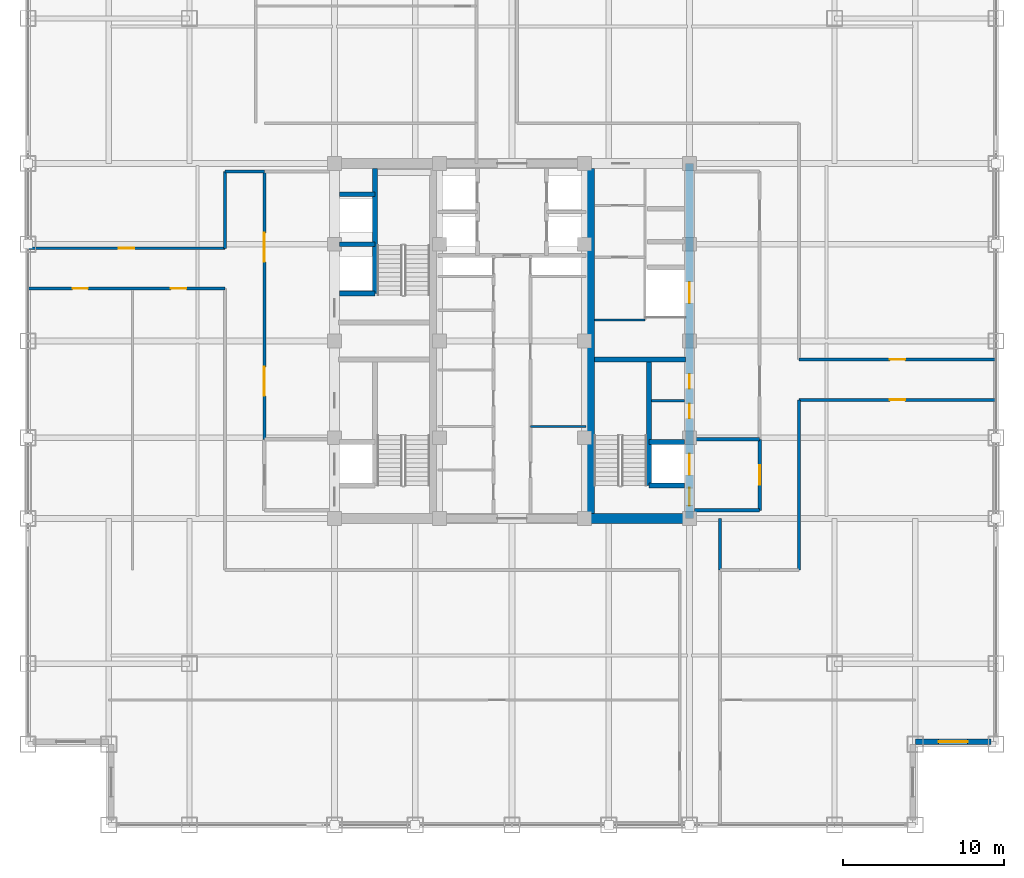
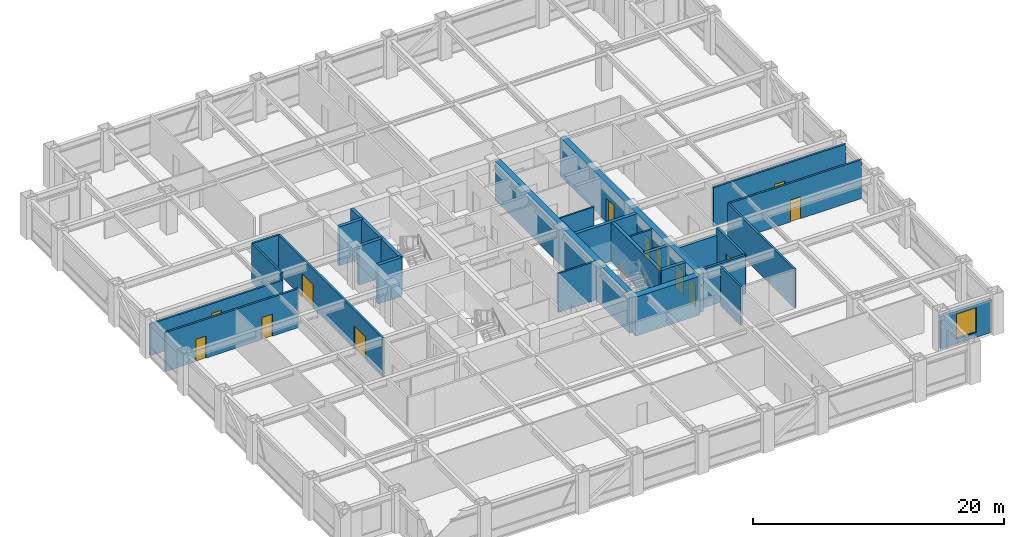
# One storey, part 21 of 24: 27 walls, 13 doors, 1 window, 14 openings.
"""IFC4 building model written with IfcOpenShell, lengths in metres."""

from ifc_helpers import new_model, si_unit, direction, frame, frame_2d, origin, place, context, subcontext, project, spatial, rectangle, extrude, source, transform, mapped, material, layer, layer_set, type_object, element, fill, save


model = new_model("IFC4")

# Units and contexts
model_context = context("Model", 3, precision=1e-05, world=origin(), true_north=direction((0.0, 1.0)))
body_context = subcontext(model_context, "Body", "Model", "MODEL_VIEW")
ifc_project = project(units=[si_unit("LENGTHUNIT", "METRE"), si_unit("AREAUNIT", "SQUARE_METRE"), si_unit("VOLUMEUNIT", "CUBIC_METRE"), si_unit("PLANEANGLEUNIT", "RADIAN"), si_unit("MASSUNIT", "GRAM", prefix="KILO")], contexts=[model_context])

# Site, building, storey
site_placement = place(None, origin())
site = spatial("IfcSite", under=ifc_project, at=site_placement, CompositionType="ELEMENT")
building_placement = place(site_placement, origin())
building = spatial("IfcBuilding", under=site, at=building_placement, Name="Khorayat Bourse Tower", CompositionType="ELEMENT")
storey_placement = place(building_placement, frame((0.0, 0.0, 259.10009765625)))
storey = spatial("IfcBuildingStorey", under=building, at=storey_placement, Name="L61", CompositionType="ELEMENT", Elevation=259.10009765625)

# Wall
ifc_material_1 = material(Name="Concrete C52/65", Category="concrete")
ifc_layer_1 = layer(ifc_material_1, 0.5)
ifc_layer_set_1 = layer_set([ifc_layer_1], Name="Concrete C52/65")
wall_type_1 = type_object("IfcWallType", Name="WAL-CORE-500", PredefinedType="SHEAR", material=ifc_layer_set_1)
shared_shape_1 = source(origin(), body_context, "Body", "SweptSolid", [
    extrude(rectangle(XDim=21.39990234375, YDim=0.5, at=frame_2d((10.699951171875, 0.0))), origin(), (0.0, 0.0, 1.0), 3.77978515625),
])
wall_1_placement = place(storey_placement, frame((4.85009765625, -10.699951171875, 0.0), z_axis=(0.0, 0.0, 1.0), x_axis=(0.0, 1.0, 0.0)))
element("IfcWall", 1, at=wall_1_placement, inside=storey, type_object=wall_type_1, Name="L61 Core Shear Wall PIER-E", PredefinedType="SHEAR", context=body_context, shape_type="MappedRepresentation", body=[
    mapped(shared_shape_1, transform((0.0, 0.0, 0.0), scale=1.0)),
])

# Wall, openings, doors
shared_shape_2 = source(origin(), body_context, "Body", "SweptSolid", [
    extrude(rectangle(XDim=22.0, YDim=0.5, at=frame_2d((11.0, 0.0))), origin(), (0.0, 0.0, 1.0), 3.77978515625),
])
wall_2_placement = place(storey_placement, frame((11.0, -11.0, 0.0), z_axis=(0.0, 0.0, 1.0), x_axis=(0.0, 1.0, 0.0)))
wall_2 = element("IfcWall", 2, at=wall_2_placement, inside=storey, type_object=wall_type_1, Name="L61 Core Shear Wall CORE-E", PredefinedType="SHEAR", context=body_context, shape_type="MappedRepresentation", body=[
    mapped(shared_shape_2, transform((0.0, 0.0, 0.0), scale=1.0)),
])
shared_shape_3 = source(origin(), body_context, "Body", "SweptSolid", [
    extrude(rectangle(XDim=1.10009765625, YDim=2.199951171875, at=frame_2d((0.550048828125, 1.10009765625))), frame((0.0, 0.260009765625, 0.0), z_axis=(0.0, -1.0, 0.0), x_axis=(1.0, 0.0, 0.0)), (0.0, 0.0, 1.0), 0.52001953125),
])
opening_1_placement = place(wall_2_placement, frame((0.800048828125, 0.0, 0.0)))
opening_1 = element("IfcOpeningElement", 3, at=opening_1_placement, cuts=wall_2, Name="Opening DI-01", PredefinedType="OPENING", context=body_context, shape_type="MappedRepresentation", body=[
    mapped(shared_shape_3, transform((0.0, 0.0, 0.0), scale=1.0)),
])
shared_shape_4 = source(origin(), body_context, "Body", "SweptSolid", [
    extrude(rectangle(XDim=0.89990234375, YDim=2.14990234375, at=frame_2d((0.449951171875, 1.074951171875))), frame((0.0, 0.260009765625, 0.0), z_axis=(0.0, -1.0, 0.0), x_axis=(1.0, 0.0, 0.0)), (0.0, 0.0, 1.0), 0.52001953125),
])
opening_2_placement = place(wall_2_placement, frame((6.199951171875, 0.0, 0.0)))
opening_2 = element("IfcOpeningElement", 4, at=opening_2_placement, cuts=wall_2, Name="Opening DI-06", PredefinedType="OPENING", context=body_context, shape_type="MappedRepresentation", body=[
    mapped(shared_shape_4, transform((0.0, 0.0, 0.0), scale=1.0)),
])
opening_3_placement = place(wall_2_placement, frame((8.050048828125, 0.0, 0.0)))
opening_3 = element("IfcOpeningElement", 5, at=opening_3_placement, cuts=wall_2, Name="Opening DI-06", PredefinedType="OPENING", context=body_context, shape_type="MappedRepresentation", body=[
    mapped(shared_shape_4, transform((0.0, 0.0, 0.0), scale=1.0)),
])
shared_shape_5 = source(origin(), body_context, "Body", "SweptSolid", [
    extrude(rectangle(XDim=1.300048828125, YDim=2.300048828125, at=frame_2d((0.64990234375, 1.14990234375))), frame((0.0, 0.260009765625, 0.0), z_axis=(0.0, -1.0, 0.0), x_axis=(1.0, 0.0, 0.0)), (0.0, 0.0, 1.0), 0.52001953125),
])
opening_4_placement = place(wall_2_placement, frame((2.699951171875, 0.0, 0.0)))
opening_4 = element("IfcOpeningElement", 6, at=opening_4_placement, cuts=wall_2, Name="Opening LD-02", PredefinedType="OPENING", context=body_context, shape_type="MappedRepresentation", body=[
    mapped(shared_shape_5, transform((0.0, 0.0, 0.0), scale=1.0)),
])
opening_5_placement = place(wall_2_placement, frame((13.35009765625, 0.0, 0.0)))
opening_5 = element("IfcOpeningElement", 7, at=opening_5_placement, cuts=wall_2, Name="Opening LD-02", PredefinedType="OPENING", context=body_context, shape_type="MappedRepresentation", body=[
    mapped(shared_shape_5, transform((0.0, 0.0, 0.0), scale=1.0)),
])
ifc_material_2 = material(Name="Fire-rated steel acoustic leaf", Category="steel")
door_type_1 = type_object("IfcDoorType", Name="DR-INT-STAIR-1100", OperationType="NOTDEFINED", PredefinedType="DOOR", material=ifc_material_2)
shared_shape_6 = source(origin(), body_context, "Body", "SweptSolid", [
    extrude(rectangle(XDim=1.10009765625, YDim=2.199951171875, at=frame_2d((0.550048828125, 1.10009765625))), frame((0.0, 0.02490234375, 0.0), z_axis=(0.0, -1.0, 0.0), x_axis=(1.0, 0.0, 0.0)), (0.0, 0.0, 1.0), 0.050048828125),
])
door_1_placement = place(opening_1_placement, origin())
door_1 = element("IfcDoor", 8, at=door_1_placement, inside=storey, type_object=door_type_1, Name="L61 Exit Stair 3 Door", OperationType="SINGLE_SWING_LEFT", OverallHeight=2.199951171875, OverallWidth=1.10009765625, PredefinedType="DOOR", context=body_context, shape_type="MappedRepresentation", body=[
    mapped(shared_shape_6, transform((0.0, 0.0, 0.0), scale=1.0)),
])
fill(opening_1, door_1)
ifc_material_3 = material(Name="Moisture-resistant laminate washroom door")
door_type_2 = type_object("IfcDoorType", Name="DR-INT-WC-900", OperationType="NOTDEFINED", PredefinedType="DOOR", material=ifc_material_3)
shared_shape_7 = source(origin(), body_context, "Body", "SweptSolid", [
    extrude(rectangle(XDim=0.89990234375, YDim=2.14990234375, at=frame_2d((0.449951171875, 1.074951171875))), frame((0.0, 0.02490234375, 0.0), z_axis=(0.0, -1.0, 0.0), x_axis=(1.0, 0.0, 0.0)), (0.0, 0.0, 1.0), 0.050048828125),
])
door_2_placement = place(opening_2_placement, origin())
door_2 = element("IfcDoor", 9, at=door_2_placement, inside=storey, type_object=door_type_2, Name="L61 Comms Closet Door", OperationType="SINGLE_SWING_LEFT", OverallHeight=2.14990234375, OverallWidth=0.89990234375, PredefinedType="DOOR", context=body_context, shape_type="MappedRepresentation", body=[
    mapped(shared_shape_7, transform((0.0, 0.0, 0.0), scale=1.0)),
])
fill(opening_2, door_2)
door_3_placement = place(opening_3_placement, origin())
door_3 = element("IfcDoor", 10, at=door_3_placement, inside=storey, type_object=door_type_2, Name="L61 Cleaner Store Door", OperationType="SINGLE_SWING_RIGHT", OverallHeight=2.14990234375, OverallWidth=0.89990234375, PredefinedType="DOOR", context=body_context, shape_type="MappedRepresentation", body=[
    mapped(shared_shape_7, transform((0.0, 0.0, 0.0), scale=1.0)),
])
fill(opening_3, door_3)
ifc_material_4 = material(Name="Fire-rated stainless-steel sliding landing door", Category="steel")
door_type_3 = type_object("IfcDoorType", Name="DR-LIFT-FF-1300", OperationType="NOTDEFINED", PredefinedType="DOOR", material=ifc_material_4)
shared_shape_8 = source(origin(), body_context, "Body", "SweptSolid", [
    extrude(rectangle(XDim=1.300048828125, YDim=2.300048828125, at=frame_2d((0.64990234375, 1.14990234375))), frame((0.0, 0.02490234375, 0.0), z_axis=(0.0, -1.0, 0.0), x_axis=(1.0, 0.0, 0.0)), (0.0, 0.0, 1.0), 0.050048828125),
])
door_4_placement = place(opening_4_placement, origin())
door_4 = element("IfcDoor", 11, at=door_4_placement, inside=storey, type_object=door_type_3, Name="L61 Lift FFL-02 Sliding Landing Door", OperationType="SLIDING_TO_LEFT", OverallHeight=2.300048828125, OverallWidth=1.300048828125, PredefinedType="DOOR", context=body_context, shape_type="MappedRepresentation", body=[
    mapped(shared_shape_8, transform((0.0, 0.0, 0.0), scale=1.0)),
])
fill(opening_4, door_4)
door_5_placement = place(opening_5_placement, origin())
door_5 = element("IfcDoor", 12, at=door_5_placement, inside=storey, type_object=door_type_3, Name="L61 Lift SVL-01 Sliding Landing Door", OperationType="SLIDING_TO_LEFT", OverallHeight=2.300048828125, OverallWidth=1.300048828125, PredefinedType="DOOR", context=body_context, shape_type="MappedRepresentation", body=[
    mapped(shared_shape_8, transform((0.0, 0.0, 0.0), scale=1.0)),
])
fill(opening_5, door_5)

# Walls
ifc_material_5 = material(Name="Concrete C60/75", Category="concrete")
ifc_layer_2 = layer(ifc_material_5, 0.60009765625)
ifc_layer_set_2 = layer_set([ifc_layer_2], Name="Concrete C60/75")
wall_type_2 = type_object("IfcWallType", Name="WAL-CORE-600", PredefinedType="SHEAR", material=ifc_layer_set_2)
shared_shape_9 = source(origin(), body_context, "Body", "SweptSolid", [
    extrude(rectangle(XDim=5.89990234375, YDim=0.60009765625, at=frame_2d((2.949951171875, 0.0))), origin(), (0.0, 0.0, 1.0), 3.77978515625),
])
wall_3_placement = place(storey_placement, frame((4.85009765625, -11.0, 0.0), z_axis=(0.0, 0.0, 1.0), x_axis=(1.0, 0.0, 0.0)))
element("IfcWall", 13, at=wall_3_placement, inside=storey, type_object=wall_type_2, Name="L61 Core Shear Wall PIER-ES", PredefinedType="SHEAR", context=body_context, shape_type="MappedRepresentation", body=[
    mapped(shared_shape_9, transform((0.0, 0.0, 0.0), scale=1.0)),
])
ifc_material_6 = material(Name="Concrete C50/60", Category="concrete")
ifc_layer_3 = layer(ifc_material_6, 0.300048828125)
ifc_layer_set_3 = layer_set([ifc_layer_3], Name="Concrete C50/60")
wall_type_3 = type_object("IfcWallType", Name="WAL-SHAFT-300", PredefinedType="SHEAR", material=ifc_layer_set_3)
shared_shape_10 = source(origin(), body_context, "Body", "SweptSolid", [
    extrude(rectangle(XDim=5.64990234375, YDim=0.300048828125, at=frame_2d((2.824951171875, 0.0))), origin(), (0.0, 0.0, 1.0), 3.77978515625),
])
wall_4_placement = place(storey_placement, frame((5.10009765625, -1.14990234375, 0.0), z_axis=(0.0, 0.0, 1.0), x_axis=(1.0, 0.0, 0.0)))
element("IfcWall", 14, at=wall_4_placement, inside=storey, type_object=wall_type_3, Name="L61 Core Shear Wall ST3-DIV", PredefinedType="SHEAR", context=body_context, shape_type="MappedRepresentation", body=[
    mapped(shared_shape_10, transform((0.0, 0.0, 0.0), scale=1.0)),
])

# Wall, opening, window
ifc_material_7 = material(Name="Precast concrete C45/55", Category="concrete")
ifc_layer_4 = layer(ifc_material_7, 0.320068359375)
ifc_layer_set_4 = layer_set([ifc_layer_4], Name="Precast concrete C45/55")
wall_type_4 = type_object("IfcWallType", Name="WAL-EXT-STONE-320", PredefinedType="STANDARD", material=ifc_layer_set_4)
shared_shape_11 = source(origin(), body_context, "Body", "SweptSolid", [
    extrude(rectangle(XDim=4.679931640625, YDim=0.320068359375, at=frame_2d((2.33984375, 0.0))), origin(), (0.0, 0.0, 1.0), 3.163818359375),
])
wall_5_placement = place(storey_placement, frame((25.0, -24.840087890625, 0.0), z_axis=(0.0, 0.0, 1.0), x_axis=(1.0, 0.0, 0.0)))
wall_5 = element("IfcWall", 15, at=wall_5_placement, inside=storey, type_object=wall_type_4, Name="L61 Re-Entrant Notch Limestone Wall SE-H", PredefinedType="STANDARD", context=body_context, shape_type="MappedRepresentation", body=[
    mapped(shared_shape_11, transform((0.0, 0.0, 0.0), scale=1.0)),
])
shared_shape_12 = source(origin(), body_context, "Body", "SweptSolid", [
    extrude(rectangle(XDim=1.800048828125, YDim=2.39990234375, at=frame_2d((0.89990234375, 1.199951171875))), frame((0.0, 0.169921875, 0.0), z_axis=(0.0, -1.0, 0.0), x_axis=(1.0, 0.0, 0.0)), (0.0, 0.0, 1.0), 0.340087890625),
])
opening_6_placement = place(wall_5_placement, frame((1.43994140625, 0.0, 0.5)))
opening_6 = element("IfcOpeningElement", 16, at=opening_6_placement, cuts=wall_5, Name="Opening WN-04", PredefinedType="OPENING", context=body_context, shape_type="MappedRepresentation", body=[
    mapped(shared_shape_12, transform((0.0, 0.0, 0.0), scale=1.0)),
])
ifc_material_8 = material(Name="Low-E acoustic laminated double glazing", Category="glass")
window_type = type_object("IfcWindowType", Name="WIN-NOTCH-1800x2400", PartitioningType="SINGLE_PANEL", PredefinedType="WINDOW", material=ifc_material_8)
shared_shape_13 = source(origin(), body_context, "Body", "SweptSolid", [
    extrude(rectangle(XDim=1.800048828125, YDim=2.39990234375, at=frame_2d((0.89990234375, 1.199951171875))), frame((0.0, 0.030029296875, 0.0), z_axis=(0.0, -1.0, 0.0), x_axis=(1.0, 0.0, 0.0)), (0.0, 0.0, 1.0), 0.06005859375),
])
window_placement = place(opening_6_placement, origin())
window = element("IfcWindow", 17, at=window_placement, inside=storey, type_object=window_type, Name="L61 Facade Window 1", OverallHeight=2.39990234375, OverallWidth=1.800048828125, PartitioningType="SINGLE_PANEL", PredefinedType="WINDOW", context=body_context, shape_type="MappedRepresentation", body=[
    mapped(shared_shape_13, transform((0.0, 0.0, 0.0), scale=1.0)),
])
fill(opening_6, window)

# Walls
ifc_material_9 = material(Name="Aerated concrete blockwork", Category="masonry")
ifc_layer_5 = layer(ifc_material_9, 0.219970703125)
ifc_layer_set_5 = layer_set([ifc_layer_5], Name="Aerated concrete blockwork")
wall_type_5 = type_object("IfcWallType", Name="WAL-PART-FF-220", PredefinedType="PARTITIONING", material=ifc_layer_set_5)
shared_shape_14 = source(origin(), body_context, "Body", "SweptSolid", [
    extrude(rectangle(XDim=4.050048828125, YDim=0.219970703125, at=frame_2d((2.02490234375, 0.0))), origin(), (0.0, 0.0, 1.0), 3.0849609375),
])
wall_6_placement = place(storey_placement, frame((11.300048828125, -6.10009765625, 0.0), z_axis=(0.0, 0.0, 1.0), x_axis=(1.0, 0.0, 0.0)))
element("IfcWall", 18, at=wall_6_placement, inside=storey, type_object=wall_type_5, Name="L61 Partition WAL-L61-FFLE-N", PredefinedType="PARTITIONING", context=body_context, shape_type="MappedRepresentation", body=[
    mapped(shared_shape_14, transform((0.0, 0.0, 0.0), scale=1.0)),
])
shared_shape_15 = source(origin(), body_context, "Body", "SweptSolid", [
    extrude(rectangle(XDim=7.800048828125, YDim=0.300048828125, at=frame_2d((3.89990234375, 0.0))), origin(), (0.0, 0.0, 1.0), 3.77978515625),
])
wall_7_placement = place(storey_placement, frame((8.5, -8.949951171875, 0.0), z_axis=(0.0, 0.0, 1.0), x_axis=(0.0, 1.0, 0.0)))
element("IfcWall", 19, at=wall_7_placement, inside=storey, type_object=wall_type_3, Name="L61 Partition WAL-L61-EPIER-SP", PredefinedType="SHEAR", context=body_context, shape_type="MappedRepresentation", body=[
    mapped(shared_shape_15, transform((0.0, 0.0, 0.0), scale=1.0)),
])
shared_shape_16 = source(origin(), body_context, "Body", "SweptSolid", [
    extrude(rectangle(XDim=2.199951171875, YDim=0.300048828125, at=frame_2d((1.10009765625, 0.0))), origin(), (0.0, 0.0, 1.0), 3.77978515625),
])
for number, where, z_axis, x_axis, name in (
    (20, (-10.699951171875, 2.949951171875, 0.0), (0.0, 0.0, 1.0), (1.0, 0.0, 0.0), "L61 Partition WAL-L61-WPIER-H1S"),
    (21, (-10.699951171875, 6.0, 0.0), (0.0, 0.0, 1.0), (1.0, 0.0, 0.0), "L61 Partition WAL-L61-WPIER-H12"),
    (22, (-10.699951171875, 9.10009765625, 0.0), (0.0, 0.0, 1.0), (1.0, 0.0, 0.0), "L61 Partition WAL-L61-WPIER-H2N"),
    (23, (8.5, -8.949951171875, 0.0), (0.0, 0.0, 1.0), (1.0, 0.0, 0.0), "L61 Partition WAL-L61-EPIER-FF2S"),
    (24, (8.5, -6.25, 0.0), (0.0, 0.0, 1.0), (1.0, 0.0, 0.0), "L61 Partition WAL-L61-EPIER-FF2N"),
):
    element("IfcWall", number, at=place(storey_placement, frame(where, z_axis=z_axis, x_axis=x_axis)), inside=storey, type_object=wall_type_3, Name=name, PredefinedType="SHEAR", context=body_context, shape_type="MappedRepresentation", body=[
        mapped(shared_shape_16, transform((0.0, 0.0, 0.0), scale=1.0)),
    ])
shared_shape_17 = source(origin(), body_context, "Body", "SweptSolid", [
    extrude(rectangle(XDim=7.75, YDim=0.300048828125, at=frame_2d((3.875, 0.0))), origin(), (0.0, 0.0, 1.0), 3.77978515625),
])
wall_8_placement = place(storey_placement, frame((-8.5, 2.949951171875, 0.0), z_axis=(0.0, 0.0, 1.0), x_axis=(0.0, 1.0, 0.0)))
element("IfcWall", 25, at=wall_8_placement, inside=storey, type_object=wall_type_3, Name="L61 Partition WAL-L61-WPIER-ST2S", PredefinedType="SHEAR", context=body_context, shape_type="MappedRepresentation", body=[
    mapped(shared_shape_17, transform((0.0, 0.0, 0.0), scale=1.0)),
])
ifc_material_10 = material(Name="Gypsum plasterboard twin-frame partition")
ifc_layer_6 = layer(ifc_material_10, 0.14990234375)
ifc_layer_set_6 = layer_set([ifc_layer_6], Name="Gypsum plasterboard twin-frame partition")
wall_type_6 = type_object("IfcWallType", Name="WAL-PART-SUITE-150", PredefinedType="PARTITIONING", material=ifc_layer_set_6)
shared_shape_18 = source(origin(), body_context, "Body", "SweptSolid", [
    extrude(rectangle(XDim=2.050048828125, YDim=0.14990234375, at=frame_2d((1.02490234375, 0.0))), origin(), (0.0, 0.0, 1.0), 3.77978515625),
])
wall_9_placement = place(storey_placement, frame((8.64990234375, -3.699951171875, 0.0), z_axis=(0.0, 0.0, 1.0), x_axis=(1.0, 0.0, 0.0)))
element("IfcWall", 26, at=wall_9_placement, inside=storey, type_object=wall_type_6, Name="L61 Partition WAL-L61-ESRV-D1", PredefinedType="PARTITIONING", context=body_context, shape_type="MappedRepresentation", body=[
    mapped(shared_shape_18, transform((0.0, 0.0, 0.0), scale=1.0)),
])
ifc_material_11 = material(Name="Moisture-resistant masonry partition", Category="masonry")
ifc_layer_7 = layer(ifc_material_11, 0.139892578125)
ifc_layer_set_7 = layer_set([ifc_layer_7], Name="Moisture-resistant masonry partition")
wall_type_7 = type_object("IfcWallType", Name="WAL-PART-WET-140", PredefinedType="PARTITIONING", material=ifc_layer_set_7)
shared_shape_19 = source(origin(), body_context, "Body", "SweptSolid", [
    extrude(rectangle(XDim=3.14990234375, YDim=0.139892578125, at=frame_2d((1.574951171875, 0.0))), origin(), (0.0, 0.0, 1.0), 3.77978515625),
])
wall_10_placement = place(storey_placement, frame((5.10009765625, 1.300048828125, 0.0), z_axis=(0.0, 0.0, 1.0), x_axis=(1.0, 0.0, 0.0)))
element("IfcWall", 27, at=wall_10_placement, inside=storey, type_object=wall_type_7, Name="L61 Partition WAL-L61-ECORE-S", PredefinedType="PARTITIONING", context=body_context, shape_type="MappedRepresentation", body=[
    mapped(shared_shape_19, transform((0.0, 0.0, 0.0), scale=1.0)),
])
shared_shape_20 = source(origin(), body_context, "Body", "SweptSolid", [
    extrude(rectangle(XDim=4.050048828125, YDim=0.219970703125, at=frame_2d((2.02490234375, 0.0))), origin(), (0.0, 0.0, 1.0), 3.77978515625),
])
wall_11_placement = place(storey_placement, frame((11.300048828125, -10.5, 0.0), z_axis=(0.0, 0.0, 1.0), x_axis=(1.0, 0.0, 0.0)))
element("IfcWall", 28, at=wall_11_placement, inside=storey, type_object=wall_type_5, Name="L61 Partition WAL-L61-FFLE-S", PredefinedType="PARTITIONING", context=body_context, shape_type="MappedRepresentation", body=[
    mapped(shared_shape_20, transform((0.0, 0.0, 0.0), scale=1.0)),
])

# Wall, opening, door
shared_shape_21 = source(origin(), body_context, "Body", "SweptSolid", [
    extrude(rectangle(XDim=4.39990234375, YDim=0.219970703125, at=frame_2d((2.199951171875, 0.0))), origin(), (0.0, 0.0, 1.0), 3.77978515625),
])
wall_12_placement = place(storey_placement, frame((15.35009765625, -10.5, 0.0), z_axis=(0.0, 0.0, 1.0), x_axis=(0.0, 1.0, 0.0)))
wall_12 = element("IfcWall", 29, at=wall_12_placement, inside=storey, type_object=wall_type_5, Name="L61 Partition WAL-L61-FFLE-E", PredefinedType="PARTITIONING", context=body_context, shape_type="MappedRepresentation", body=[
    mapped(shared_shape_21, transform((0.0, 0.0, 0.0), scale=1.0)),
])
shared_shape_22 = source(origin(), body_context, "Body", "SweptSolid", [
    extrude(rectangle(XDim=1.199951171875, YDim=2.199951171875, at=frame_2d((0.60009765625, 1.10009765625))), frame((0.0, 0.119873046875, 0.0), z_axis=(0.0, -1.0, 0.0), x_axis=(1.0, 0.0, 0.0)), (0.0, 0.0, 1.0), 0.239990234375),
])
opening_7_placement = place(wall_12_placement, frame((1.60009765625, 0.0, 0.0)))
opening_7 = element("IfcOpeningElement", 30, at=opening_7_placement, cuts=wall_12, Name="Opening DI-02", PredefinedType="OPENING", context=body_context, shape_type="MappedRepresentation", body=[
    mapped(shared_shape_22, transform((0.0, 0.0, 0.0), scale=1.0)),
])
ifc_material_12 = material(Name="Fire-rated steel double-seal leaf", Category="steel")
door_type_4 = type_object("IfcDoorType", Name="DR-INT-FFLOBBY-1200", OperationType="NOTDEFINED", PredefinedType="DOOR", material=ifc_material_12)
shared_shape_23 = source(origin(), body_context, "Body", "SweptSolid", [
    extrude(rectangle(XDim=1.199951171875, YDim=2.199951171875, at=frame_2d((0.60009765625, 1.10009765625))), frame((0.0, 0.02490234375, 0.0), z_axis=(0.0, -1.0, 0.0), x_axis=(1.0, 0.0, 0.0)), (0.0, 0.0, 1.0), 0.050048828125),
])
door_6_placement = place(opening_7_placement, origin())
door_6 = element("IfcDoor", 31, at=door_6_placement, inside=storey, type_object=door_type_4, Name="L61 East Firefighting Lobby Door", OperationType="SINGLE_SWING_RIGHT", OverallHeight=2.199951171875, OverallWidth=1.199951171875, PredefinedType="DOOR", context=body_context, shape_type="MappedRepresentation", body=[
    mapped(shared_shape_23, transform((0.0, 0.0, 0.0), scale=1.0)),
])
fill(opening_7, door_6)

# Wall, openings, doors
ifc_material_13 = material(Name="Gypsum plasterboard acoustic stud wall")
ifc_layer_8 = layer(ifc_material_13, 0.179931640625)
ifc_layer_set_8 = layer_set([ifc_layer_8], Name="Gypsum plasterboard acoustic stud wall")
wall_type_8 = type_object("IfcWallType", Name="WAL-PART-CORR-180", PredefinedType="PARTITIONING", material=ifc_layer_set_8)
shared_shape_24 = source(origin(), body_context, "Body", "SweptSolid", [
    extrude(rectangle(XDim=16.60009765625, YDim=0.179931640625, at=frame_2d((8.300048828125, 0.0))), origin(), (0.0, 0.0, 1.0), 3.77978515625),
])
wall_13_placement = place(storey_placement, frame((-15.35009765625, -6.10009765625, 0.0), z_axis=(0.0, 0.0, 1.0), x_axis=(0.0, 1.0, 0.0)))
wall_13 = element("IfcWall", 32, at=wall_13_placement, inside=storey, type_object=wall_type_8, Name="L61 Partition WAL-L61-WLOB-W", PredefinedType="PARTITIONING", context=body_context, shape_type="MappedRepresentation", body=[
    mapped(shared_shape_24, transform((0.0, 0.0, 0.0), scale=1.0)),
])
shared_shape_25 = source(origin(), body_context, "Body", "SweptSolid", [
    extrude(rectangle(XDim=1.800048828125, YDim=2.25, at=frame_2d((0.89990234375, 1.125))), frame((0.0, 0.099853515625, 0.0), z_axis=(0.0, -1.0, 0.0), x_axis=(1.0, 0.0, 0.0)), (0.0, 0.0, 1.0), 0.199951171875),
])
opening_8_placement = place(wall_13_placement, frame((2.699951171875, 0.0, 0.0)))
opening_8 = element("IfcOpeningElement", 33, at=opening_8_placement, cuts=wall_13, Name="Opening DI-03", PredefinedType="OPENING", context=body_context, shape_type="MappedRepresentation", body=[
    mapped(shared_shape_25, transform((0.0, 0.0, 0.0), scale=1.0)),
])
opening_9_placement = place(wall_13_placement, frame((11.0, 0.0, 0.0)))
opening_9 = element("IfcOpeningElement", 34, at=opening_9_placement, cuts=wall_13, Name="Opening DI-03", PredefinedType="OPENING", context=body_context, shape_type="MappedRepresentation", body=[
    mapped(shared_shape_25, transform((0.0, 0.0, 0.0), scale=1.0)),
])
ifc_material_14 = material(Name="Fire-rated hardwood vision-panel double leaf", Category="wood")
door_type_5 = type_object("IfcDoorType", Name="DR-INT-CORR-1800", OperationType="NOTDEFINED", PredefinedType="DOOR", material=ifc_material_14)
shared_shape_26 = source(origin(), body_context, "Body", "SweptSolid", [
    extrude(rectangle(XDim=1.800048828125, YDim=2.25, at=frame_2d((0.89990234375, 1.125))), frame((0.0, 0.02490234375, 0.0), z_axis=(0.0, -1.0, 0.0), x_axis=(1.0, 0.0, 0.0)), (0.0, 0.0, 1.0), 0.050048828125),
])
door_7_placement = place(opening_8_placement, origin())
door_7 = element("IfcDoor", 35, at=door_7_placement, inside=storey, type_object=door_type_5, Name="L61 West Core Lobby South Door", OperationType="SINGLE_SWING_LEFT", OverallHeight=2.25, OverallWidth=1.800048828125, PredefinedType="DOOR", context=body_context, shape_type="MappedRepresentation", body=[
    mapped(shared_shape_26, transform((0.0, 0.0, 0.0), scale=1.0)),
])
fill(opening_8, door_7)
door_8_placement = place(opening_9_placement, origin())
door_8 = element("IfcDoor", 36, at=door_8_placement, inside=storey, type_object=door_type_5, Name="L61 West Core Lobby North Door", OperationType="SINGLE_SWING_RIGHT", OverallHeight=2.25, OverallWidth=1.800048828125, PredefinedType="DOOR", context=body_context, shape_type="MappedRepresentation", body=[
    mapped(shared_shape_26, transform((0.0, 0.0, 0.0), scale=1.0)),
])
fill(opening_9, door_8)

# Walls
shared_shape_27 = source(origin(), body_context, "Body", "SweptSolid", [
    extrude(rectangle(XDim=3.4501953125, YDim=0.14990234375, at=frame_2d((1.72509765625, 0.0))), origin(), (0.0, 0.0, 1.0), 3.77978515625),
])
wall_14_placement = place(storey_placement, frame((1.14990234375, -5.300048828125, 0.0), z_axis=(0.0, 0.0, 1.0), x_axis=(1.0, 0.0, 0.0)))
element("IfcWall", 37, at=wall_14_placement, inside=storey, type_object=wall_type_6, Name="L61 Partition WAL-L61-FB1-NE", PredefinedType="PARTITIONING", context=body_context, shape_type="MappedRepresentation", body=[
    mapped(shared_shape_27, transform((0.0, 0.0, 0.0), scale=1.0)),
])
shared_shape_28 = source(origin(), body_context, "Body", "SweptSolid", [
    extrude(rectangle(XDim=2.449951171875, YDim=0.179931640625, at=frame_2d((1.22509765625, 0.0))), origin(), (0.0, 0.0, 1.0), 3.77978515625),
])
wall_15_placement = place(storey_placement, frame((-17.800048828125, 10.5, 0.0), z_axis=(0.0, 0.0, 1.0), x_axis=(1.0, 0.0, 0.0)))
element("IfcWall", 38, at=wall_15_placement, inside=storey, type_object=wall_type_8, Name="L61 Partition WAL-L61-C2-WN", PredefinedType="PARTITIONING", context=body_context, shape_type="MappedRepresentation", body=[
    mapped(shared_shape_28, transform((0.0, 0.0, 0.0), scale=1.0)),
])
shared_shape_29 = source(origin(), body_context, "Body", "SweptSolid", [
    extrude(rectangle(XDim=3.199951171875, YDim=0.179931640625, at=frame_2d((1.60009765625, 0.0))), origin(), (0.0, 0.0, 1.0), 3.77978515625),
])
wall_16_placement = place(storey_placement, frame((12.89990234375, -14.199951171875, 0.0), z_axis=(0.0, 0.0, 1.0), x_axis=(0.0, 1.0, 0.0)))
element("IfcWall", 39, at=wall_16_placement, inside=storey, type_object=wall_type_8, Name="L61 Partition WAL-L61-C2-SCE", PredefinedType="PARTITIONING", context=body_context, shape_type="MappedRepresentation", body=[
    mapped(shared_shape_29, transform((0.0, 0.0, 0.0), scale=1.0)),
])

# Wall, openings, doors
shared_shape_30 = source(origin(), body_context, "Body", "SweptSolid", [
    extrude(rectangle(XDim=12.199951171875, YDim=0.179931640625, at=frame_2d((6.10009765625, 0.0))), origin(), (0.0, 0.0, 1.0), 3.77978515625),
])
wall_17_placement = place(storey_placement, frame((-30.0, 3.25, 0.0), z_axis=(0.0, 0.0, 1.0), x_axis=(1.0, 0.0, 0.0)))
wall_17 = element("IfcWall", 40, at=wall_17_placement, inside=storey, type_object=wall_type_8, Name="L61 Partition WAL-L61-WS-SPK", PredefinedType="PARTITIONING", context=body_context, shape_type="MappedRepresentation", body=[
    mapped(shared_shape_30, transform((0.0, 0.0, 0.0), scale=1.0)),
])
shared_shape_31 = source(origin(), body_context, "Body", "SweptSolid", [
    extrude(rectangle(XDim=0.949951171875, YDim=2.14990234375, at=frame_2d((0.47509765625, 1.074951171875))), frame((0.0, 0.099853515625, 0.0), z_axis=(0.0, -1.0, 0.0), x_axis=(1.0, 0.0, 0.0)), (0.0, 0.0, 1.0), 0.199951171875),
])
opening_10_placement = place(wall_17_placement, frame((2.758056640625, 0.0, 0.0)))
opening_10 = element("IfcOpeningElement", 41, at=opening_10_placement, cuts=wall_17, Name="Opening DI-05", PredefinedType="OPENING", context=body_context, shape_type="MappedRepresentation", body=[
    mapped(shared_shape_31, transform((0.0, 0.0, 0.0), scale=1.0)),
])
opening_11_placement = place(wall_17_placement, frame((8.85791015625, 0.0, 0.0)))
opening_11 = element("IfcOpeningElement", 42, at=opening_11_placement, cuts=wall_17, Name="Opening DI-05", PredefinedType="OPENING", context=body_context, shape_type="MappedRepresentation", body=[
    mapped(shared_shape_31, transform((0.0, 0.0, 0.0), scale=1.0)),
])
ifc_material_15 = material(Name="Acoustic oak veneer office door")
door_type_6 = type_object("IfcDoorType", Name="DR-INT-OFFICE-950", OperationType="NOTDEFINED", PredefinedType="DOOR", material=ifc_material_15)
shared_shape_32 = source(origin(), body_context, "Body", "SweptSolid", [
    extrude(rectangle(XDim=0.949951171875, YDim=2.14990234375, at=frame_2d((0.47509765625, 1.074951171875))), frame((0.0, 0.02490234375, 0.0), z_axis=(0.0, -1.0, 0.0), x_axis=(1.0, 0.0, 0.0)), (0.0, 0.0, 1.0), 0.050048828125),
])
door_9_placement = place(opening_10_placement, origin())
door_9 = element("IfcDoor", 43, at=door_9_placement, inside=storey, type_object=door_type_6, Name="L61 Quantitative Research Study WSA Door", OperationType="SINGLE_SWING_LEFT", OverallHeight=2.14990234375, OverallWidth=0.949951171875, PredefinedType="DOOR", context=body_context, shape_type="MappedRepresentation", body=[
    mapped(shared_shape_32, transform((0.0, 0.0, 0.0), scale=1.0)),
])
fill(opening_10, door_9)
door_10_placement = place(opening_11_placement, origin())
door_10 = element("IfcDoor", 44, at=door_10_placement, inside=storey, type_object=door_type_6, Name="L61 Members Exchange Lounge WSB Door", OperationType="SINGLE_SWING_RIGHT", OverallHeight=2.14990234375, OverallWidth=0.949951171875, PredefinedType="DOOR", context=body_context, shape_type="MappedRepresentation", body=[
    mapped(shared_shape_32, transform((0.0, 0.0, 0.0), scale=1.0)),
])
fill(opening_11, door_10)

# Wall, opening, door
wall_18_placement = place(storey_placement, frame((17.800048828125, -3.64990234375, 0.0), z_axis=(0.0, 0.0, 1.0), x_axis=(1.0, 0.0, 0.0)))
wall_18 = element("IfcWall", 45, at=wall_18_placement, inside=storey, type_object=wall_type_8, Name="L61 Partition WAL-L61-ES-SPK", PredefinedType="PARTITIONING", context=body_context, shape_type="MappedRepresentation", body=[
    mapped(shared_shape_30, transform((0.0, 0.0, 0.0), scale=1.0)),
])
opening_12_placement = place(wall_18_placement, frame((5.625, 0.0, 0.0)))
opening_12 = element("IfcOpeningElement", 46, at=opening_12_placement, cuts=wall_18, Name="Opening DI-05", PredefinedType="OPENING", context=body_context, shape_type="MappedRepresentation", body=[
    mapped(shared_shape_31, transform((0.0, 0.0, 0.0), scale=1.0)),
])
door_11_placement = place(opening_12_placement, origin())
door_11 = element("IfcDoor", 47, at=door_11_placement, inside=storey, type_object=door_type_6, Name="L61 Members Club Room ES Door", OperationType="SINGLE_SWING_LEFT", OverallHeight=2.14990234375, OverallWidth=0.949951171875, PredefinedType="DOOR", context=body_context, shape_type="MappedRepresentation", body=[
    mapped(shared_shape_32, transform((0.0, 0.0, 0.0), scale=1.0)),
])
fill(opening_12, door_11)

wall_19_placement = place(storey_placement, frame((17.800048828125, -1.14990234375, 0.0), z_axis=(0.0, 0.0, 1.0), x_axis=(1.0, 0.0, 0.0)))
wall_19 = element("IfcWall", 48, at=wall_19_placement, inside=storey, type_object=wall_type_8, Name="L61 Partition WAL-L61-EN-SPK", PredefinedType="PARTITIONING", context=body_context, shape_type="MappedRepresentation", body=[
    mapped(shared_shape_30, transform((0.0, 0.0, 0.0), scale=1.0)),
])
opening_13_placement = place(wall_19_placement, frame((5.625, 0.0, 0.0)))
opening_13 = element("IfcOpeningElement", 49, at=opening_13_placement, cuts=wall_19, Name="Opening DI-05", PredefinedType="OPENING", context=body_context, shape_type="MappedRepresentation", body=[
    mapped(shared_shape_31, transform((0.0, 0.0, 0.0), scale=1.0)),
])
door_12_placement = place(opening_13_placement, origin())
door_12 = element("IfcDoor", 50, at=door_12_placement, inside=storey, type_object=door_type_6, Name="L61 Executive Wellness Fitness Gym EN Door", OperationType="SINGLE_SWING_LEFT", OverallHeight=2.14990234375, OverallWidth=0.949951171875, PredefinedType="DOOR", context=body_context, shape_type="MappedRepresentation", body=[
    mapped(shared_shape_32, transform((0.0, 0.0, 0.0), scale=1.0)),
])
fill(opening_13, door_12)

shared_shape_33 = source(origin(), body_context, "Body", "SweptSolid", [
    extrude(rectangle(XDim=12.199951171875, YDim=0.179931640625, at=frame_2d((6.10009765625, 0.0))), origin(), (0.0, 0.0, 1.0), 3.0849609375),
])
wall_20_placement = place(storey_placement, frame((-30.0, 5.75, 0.0), z_axis=(0.0, 0.0, 1.0), x_axis=(1.0, 0.0, 0.0)))
wall_20 = element("IfcWall", 51, at=wall_20_placement, inside=storey, type_object=wall_type_8, Name="L61 Partition WAL-L61-WN-SPK", PredefinedType="PARTITIONING", context=body_context, shape_type="MappedRepresentation", body=[
    mapped(shared_shape_33, transform((0.0, 0.0, 0.0), scale=1.0)),
])
opening_14_placement = place(wall_20_placement, frame((5.625, 0.0, 0.0)))
opening_14 = element("IfcOpeningElement", 52, at=opening_14_placement, cuts=wall_20, Name="Opening DI-05", PredefinedType="OPENING", context=body_context, shape_type="MappedRepresentation", body=[
    mapped(shared_shape_31, transform((0.0, 0.0, 0.0), scale=1.0)),
])
door_13_placement = place(opening_14_placement, origin())
door_13 = element("IfcDoor", 53, at=door_13_placement, inside=storey, type_object=door_type_6, Name="L61 Members Dining Room WN Door", OperationType="SINGLE_SWING_LEFT", OverallHeight=2.14990234375, OverallWidth=0.949951171875, PredefinedType="DOOR", context=body_context, shape_type="MappedRepresentation", body=[
    mapped(shared_shape_32, transform((0.0, 0.0, 0.0), scale=1.0)),
])
fill(opening_14, door_13)

# Walls
shared_shape_34 = source(origin(), body_context, "Body", "SweptSolid", [
    extrude(rectangle(XDim=4.75, YDim=0.179931640625, at=frame_2d((2.375, 0.0))), origin(), (0.0, 0.0, 1.0), 3.77978515625),
])
wall_21_placement = place(storey_placement, frame((-17.800048828125, 5.75, 0.0), z_axis=(0.0, 0.0, 1.0), x_axis=(0.0, 1.0, 0.0)))
element("IfcWall", 54, at=wall_21_placement, inside=storey, type_object=wall_type_8, Name="L61 Partition WAL-L61-WN-IN", PredefinedType="PARTITIONING", context=body_context, shape_type="MappedRepresentation", body=[
    mapped(shared_shape_34, transform((0.0, 0.0, 0.0), scale=1.0)),
])
shared_shape_35 = source(origin(), body_context, "Body", "SweptSolid", [
    extrude(rectangle(XDim=10.550048828125, YDim=0.179931640625, at=frame_2d((5.27490234375, 0.0))), origin(), (0.0, 0.0, 1.0), 3.77978515625),
])
wall_22_placement = place(storey_placement, frame((17.800048828125, -14.199951171875, 0.0), z_axis=(0.0, 0.0, 1.0), x_axis=(0.0, 1.0, 0.0)))
element("IfcWall", 55, at=wall_22_placement, inside=storey, type_object=wall_type_8, Name="L61 Partition WAL-L61-ES-IN", PredefinedType="PARTITIONING", context=body_context, shape_type="MappedRepresentation", body=[
    mapped(shared_shape_35, transform((0.0, 0.0, 0.0), scale=1.0)),
])

save(model, "model.ifc")
